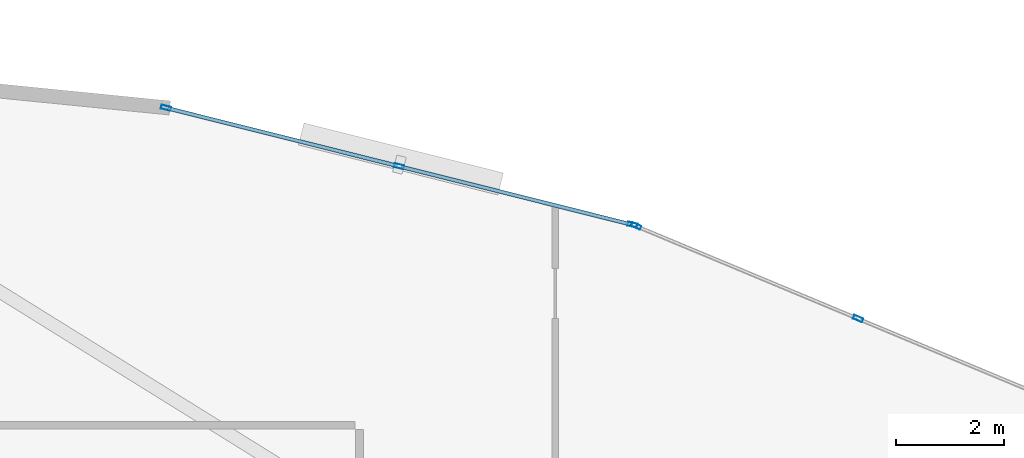
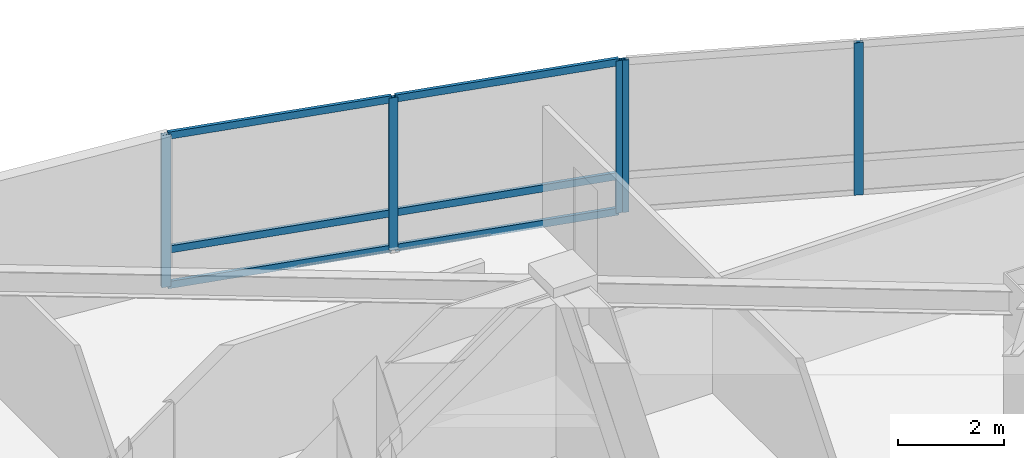
# One storey, part 9 of 17: 11 members, 2 elements without a shape of their own.
"""IFC4 building model written with IfcOpenShell, lengths in metres."""

from ifc_helpers import new_model, si_unit, direction, frame, origin, origin_2d, place, context, subcontext, project, spatial, hollow_rectangle, extrude, material, layer, layer_set, material_profile, profile_set, type_object, element, aggregate, save


model = new_model("IFC4")

# Units and contexts
model_context = context("Model", 3, precision=1e-05, world=origin(), true_north=direction((0.0, 1.0)))
body_context = subcontext(model_context, "Body", "Model", "MODEL_VIEW")
ifc_project = project(units=[si_unit("LENGTHUNIT", "METRE"), si_unit("AREAUNIT", "SQUARE_METRE"), si_unit("VOLUMEUNIT", "CUBIC_METRE"), si_unit("PLANEANGLEUNIT", "RADIAN"), si_unit("MASSUNIT", "GRAM", prefix="KILO")], contexts=[model_context])

# Site, building, storey
site_placement = place(None, origin())
site = spatial("IfcSite", under=ifc_project, at=site_placement, CompositionType="ELEMENT")
building_placement = place(site_placement, origin())
building = spatial("IfcBuilding", under=site, at=building_placement, Name="Menara Vayukalpa", CompositionType="ELEMENT")
storey_placement = place(building_placement, frame((0.0, 0.0, 154.320068359375)))
storey = spatial("IfcBuildingStorey", under=building, at=storey_placement, Name="L38", CompositionType="ELEMENT", Elevation=154.320068359375)

# Curtain wall, members
ifc_material_1 = material(Name="Anodised Terracotta Aluminium Alloy 6063-T6", Category="masonry")
ifc_layer = layer(ifc_material_1, 0.179931640625)
ifc_layer_set = layer_set([ifc_layer], Name="Anodised Terracotta Aluminium Alloy 6063-T6")
curtain_wall_type = type_object("IfcCurtainWallType", Name="CW-CW4", PredefinedType="USERDEFINED", material=ifc_layer_set)
curtain_wall_1_placement = place(storey_placement, origin())
curtain_wall_1 = element("IfcCurtainWall", 1, at=curtain_wall_1_placement, inside=storey, type_object=curtain_wall_type, Name="L38 Sky Bar Cantilever Glazed Curtain Wall CW4 04", ObjectType="UNITISED", PredefinedType="USERDEFINED")
ifc_material_2 = material(Name="Anodised Terracotta Aluminium Alloy 6063-T6", Category="masonry")
ifc_material_profile_1 = material_profile(ifc_material_2, hollow_rectangle(XDim=0.074951171875, YDim=0.179931640625, WallThickness=0.00390625, at=origin_2d()), Name="ALU 75x180x4")
ifc_profile_set_1 = profile_set([ifc_material_profile_1], Name="Anodised Terracotta Aluminium Alloy 6063-T6")
member_type_1 = type_object("IfcMemberType", Name="CWM-CW4", PredefinedType="MULLION", material=ifc_profile_set_1)
member_1_placement = place(storey_placement, frame((42.098388671875, 30.75146484375, 0.0), z_axis=(0.0, 0.0, 1.0), x_axis=(-0.385091352437, -0.922878459104, 0.0)))
member_1 = element("IfcMember", 2, at=member_1_placement, type_object=member_type_1, Name="CW4 mullion 2", PredefinedType="MULLION", context=body_context, shape_type="SweptSolid", body=[
    extrude(hollow_rectangle(XDim=0.074951171875, YDim=0.179931640625, WallThickness=0.00390625, at=origin_2d()), origin(), (0.0, 0.0, 1.0), 3.5),
])
member_2_placement = place(storey_placement, frame((37.996337890625, 32.463134765625, 0.0), z_axis=(0.0, 0.0, 1.0), x_axis=(-0.385091352437, -0.922878459104, 0.0)))
member_2 = element("IfcMember", 3, at=member_2_placement, type_object=member_type_1, Name="CW4 mullion 3", PredefinedType="MULLION", context=body_context, shape_type="SweptSolid", body=[
    extrude(hollow_rectangle(XDim=0.074951171875, YDim=0.179931640625, WallThickness=0.00390625, at=origin_2d()), origin(), (0.0, 0.0, 1.0), 3.5),
])
aggregate(curtain_wall_1, [member_1, member_2])

curtain_wall_2_placement = place(storey_placement, origin())
curtain_wall_2 = element("IfcCurtainWall", 4, at=curtain_wall_2_placement, inside=storey, type_object=curtain_wall_type, Name="L38 Sky Bar Cantilever Glazed Curtain Wall CW4 05", ObjectType="UNITISED", PredefinedType="USERDEFINED")
member_3_placement = place(storey_placement, frame((37.92529296875, 32.48681640625, 0.0), z_axis=(0.0, 0.0, 1.0), x_axis=(-0.243112993066, -0.969997975566, 0.0)))
member_3 = element("IfcMember", 5, at=member_3_placement, type_object=member_type_1, Name="CW4 mullion 1", PredefinedType="MULLION", context=body_context, shape_type="SweptSolid", body=[
    extrude(hollow_rectangle(XDim=0.074951171875, YDim=0.179931640625, WallThickness=0.00390625, at=origin_2d()), origin(), (0.0, 0.0, 1.0), 3.5),
])
member_4_placement = place(storey_placement, frame((33.61376953125, 33.5673828125, 0.0), z_axis=(0.0, 0.0, 1.0), x_axis=(-0.243112993066, -0.969997975566, 0.0)))
member_4 = element("IfcMember", 6, at=member_4_placement, type_object=member_type_1, Name="CW4 mullion 2", PredefinedType="MULLION", context=body_context, shape_type="SweptSolid", body=[
    extrude(hollow_rectangle(XDim=0.074951171875, YDim=0.179931640625, WallThickness=0.00390625, at=origin_2d()), origin(), (0.0, 0.0, 1.0), 3.5),
])
member_5_placement = place(storey_placement, frame((29.302001953125, 34.64794921875, 0.0), z_axis=(0.0, 0.0, 1.0), x_axis=(-0.243112993066, -0.969997975566, 0.0)))
member_5 = element("IfcMember", 7, at=member_5_placement, type_object=member_type_1, Name="CW4 mullion 3", PredefinedType="MULLION", context=body_context, shape_type="SweptSolid", body=[
    extrude(hollow_rectangle(XDim=0.074951171875, YDim=0.179931640625, WallThickness=0.00390625, at=origin_2d()), origin(), (0.0, 0.0, 1.0), 3.5),
])
ifc_material_3 = material(Name="Anodised Terracotta Aluminium Alloy 6063-T6", Category="masonry")
ifc_material_profile_2 = material_profile(ifc_material_3, hollow_rectangle(XDim=0.070068359375, YDim=0.1650390625, WallThickness=0.00390625, at=origin_2d()), Name="ALU 70x165x4")
ifc_profile_set_2 = profile_set([ifc_material_profile_2], Name="Anodised Terracotta Aluminium Alloy 6063-T6")
member_type_2 = type_object("IfcMemberType", Name="CWT-CW4", PredefinedType="USERDEFINED", material=ifc_profile_set_2)
member_6_placement = place(storey_placement, frame((37.888916015625, 32.495849609375, 0.034912109375), z_axis=(-0.969991137753, 0.243140273672, 0.0), x_axis=(-0.243140273672, -0.969991137753, 0.0)))
member_6 = element("IfcMember", 8, at=member_6_placement, type_object=member_type_2, Name="CW4 transom 1.1", ObjectType="TRANSOM", PredefinedType="USERDEFINED", context=body_context, shape_type="SweptSolid", body=[
    extrude(hollow_rectangle(XDim=0.070068359375, YDim=0.1650390625, WallThickness=0.00390625, at=origin_2d()), origin(), (0.0, 0.0, 1.0), 4.369873046875),
])
member_7_placement = place(storey_placement, frame((37.888916015625, 32.495849609375, 0.849853515625), z_axis=(-0.969991137753, 0.243140273672, 0.0), x_axis=(-0.243140273672, -0.969991137753, 0.0)))
member_7 = element("IfcMember", 9, at=member_7_placement, type_object=member_type_2, Name="CW4 transom 1.2", ObjectType="TRANSOM", PredefinedType="USERDEFINED", context=body_context, shape_type="SweptSolid", body=[
    extrude(hollow_rectangle(XDim=0.070068359375, YDim=0.1650390625, WallThickness=0.00390625, at=origin_2d()), origin(), (0.0, 0.0, 1.0), 4.369873046875),
])
member_8_placement = place(storey_placement, frame((37.888916015625, 32.495849609375, 3.46484375), z_axis=(-0.969991137753, 0.243140273672, 0.0), x_axis=(-0.243140273672, -0.969991137753, 0.0)))
member_8 = element("IfcMember", 10, at=member_8_placement, type_object=member_type_2, Name="CW4 transom 1.3", ObjectType="TRANSOM", PredefinedType="USERDEFINED", context=body_context, shape_type="SweptSolid", body=[
    extrude(hollow_rectangle(XDim=0.070068359375, YDim=0.1650390625, WallThickness=0.00390625, at=origin_2d()), origin(), (0.0, 0.0, 1.0), 4.369873046875),
])
member_9_placement = place(storey_placement, frame((33.577392578125, 33.576416015625, 0.034912109375), z_axis=(-0.969994440281, 0.243127098088, 0.0), x_axis=(-0.243127098088, -0.969994440281, 0.0)))
member_9 = element("IfcMember", 11, at=member_9_placement, type_object=member_type_2, Name="CW4 transom 2.1", ObjectType="TRANSOM", PredefinedType="USERDEFINED", context=body_context, shape_type="SweptSolid", body=[
    extrude(hollow_rectangle(XDim=0.070068359375, YDim=0.1650390625, WallThickness=0.00390625, at=origin_2d()), origin(), (0.0, 0.0, 1.0), 4.3701171875),
])
member_10_placement = place(storey_placement, frame((33.577392578125, 33.576416015625, 0.849853515625), z_axis=(-0.969994440281, 0.243127098088, 0.0), x_axis=(-0.243127098088, -0.969994440281, 0.0)))
member_10 = element("IfcMember", 12, at=member_10_placement, type_object=member_type_2, Name="CW4 transom 2.2", ObjectType="TRANSOM", PredefinedType="USERDEFINED", context=body_context, shape_type="SweptSolid", body=[
    extrude(hollow_rectangle(XDim=0.070068359375, YDim=0.1650390625, WallThickness=0.00390625, at=origin_2d()), origin(), (0.0, 0.0, 1.0), 4.3701171875),
])
member_11_placement = place(storey_placement, frame((33.577392578125, 33.576416015625, 3.46484375), z_axis=(-0.969994440281, 0.243127098088, 0.0), x_axis=(-0.243127098088, -0.969994440281, 0.0)))
member_11 = element("IfcMember", 13, at=member_11_placement, type_object=member_type_2, Name="CW4 transom 2.3", ObjectType="TRANSOM", PredefinedType="USERDEFINED", context=body_context, shape_type="SweptSolid", body=[
    extrude(hollow_rectangle(XDim=0.070068359375, YDim=0.1650390625, WallThickness=0.00390625, at=origin_2d()), origin(), (0.0, 0.0, 1.0), 4.3701171875),
])
aggregate(curtain_wall_2, [member_3, member_4, member_5, member_6, member_7, member_8, member_9, member_10, member_11])

save(model, "model.ifc")
